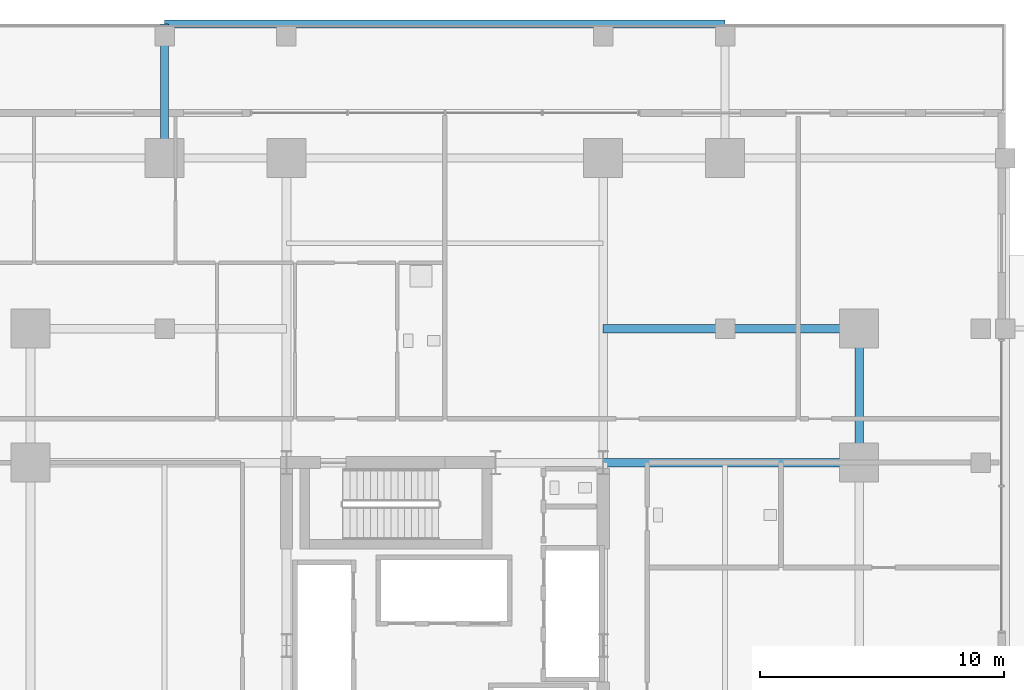
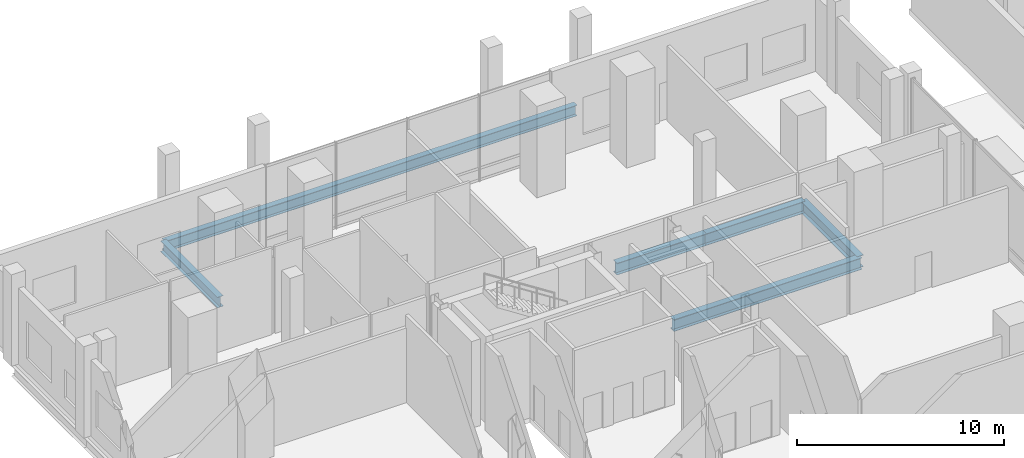
# One storey, part 18 of 36: 6 beams.
"""IFC4 building model written with IfcOpenShell, lengths in metres."""

from ifc_helpers import new_model, si_unit, direction, frame, origin, origin_2d, place, context, subcontext, project, spatial, i_section, extrude, material, material_profile, profile_set, type_object, element, save


model = new_model("IFC4")

# Units and contexts
model_context = context("Model", 3, precision=1e-05, world=origin(), true_north=direction((0.0, 1.0)))
body_context = subcontext(model_context, "Body", "Model", "MODEL_VIEW")
ifc_project = project(units=[si_unit("LENGTHUNIT", "METRE"), si_unit("AREAUNIT", "SQUARE_METRE"), si_unit("VOLUMEUNIT", "CUBIC_METRE"), si_unit("PLANEANGLEUNIT", "RADIAN"), si_unit("MASSUNIT", "GRAM", prefix="KILO")], contexts=[model_context])

# Site, building, storey
site_placement = place(None, origin())
site = spatial("IfcSite", under=ifc_project, at=site_placement, CompositionType="ELEMENT")
building_placement = place(site_placement, origin())
building = spatial("IfcBuilding", under=site, at=building_placement, Name="Barlavira Tower and Art Museum", CompositionType="ELEMENT")
storey_placement = place(building_placement, frame((0.0, 0.0, 11.39990234375)))
storey = spatial("IfcBuildingStorey", under=building, at=storey_placement, Name="L02", CompositionType="ELEMENT", Elevation=11.39990234375)

# Beams
ifc_material = material(Name="Steel S355", Category="steel")
ifc_material_profile_1 = material_profile(ifc_material, i_section(OverallWidth=0.327880859375, OverallDepth=0.62890625, WebThickness=0.013916015625, FlangeThickness=0.021484375, at=origin_2d()), Name="W610x174.0")
ifc_profile_set_1 = profile_set([ifc_material_profile_1], Name="Steel S355")
beam_type_1 = type_object("IfcBeamType", Name="Perimeter Spandrel Edge Beam W610x174 Steel S355", PredefinedType="SPANDREL", material=ifc_profile_set_1)
beam_1_placement = place(storey_placement, frame((-11.5, 25.5, -0.594482421875), z_axis=(1.0, 0.0, 0.0), x_axis=(0.0, 1.0, 0.0)))
element("IfcBeam", 1, at=beam_1_placement, inside=storey, type_object=beam_type_1, Name="L02 North Cascade Edge Spandrel", PredefinedType="SPANDREL", context=body_context, shape_type="SweptSolid", body=[
    extrude(i_section(OverallWidth=0.327880859375, OverallDepth=0.62890625, WebThickness=0.013916015625, FlangeThickness=0.021484375, at=origin_2d()), origin(), (0.0, 0.0, 1.0), 23.0),
])
beam_2_placement = place(storey_placement, frame((-11.5, 20.0, -0.594482421875), z_axis=(0.0, 1.0, 0.0), x_axis=(-1.0, 0.0, 0.0)))
element("IfcBeam", 2, at=beam_2_placement, inside=storey, type_object=beam_type_1, Name="L02 NW Cascade Spandrel", PredefinedType="SPANDREL", context=body_context, shape_type="SweptSolid", body=[
    extrude(i_section(OverallWidth=0.327880859375, OverallDepth=0.62890625, WebThickness=0.013916015625, FlangeThickness=0.021484375, at=origin_2d()), origin(), (0.0, 0.0, 1.0), 5.5),
])
ifc_material_profile_2 = material_profile(ifc_material, i_section(OverallWidth=0.35595703125, OverallDepth=0.695068359375, WebThickness=0.014892578125, FlangeThickness=0.023681640625, at=origin_2d()), Name="W690x192.0")
ifc_profile_set_2 = profile_set([ifc_material_profile_2], Name="Steel S355")
beam_type_2 = type_object("IfcBeamType", Name="Podium Primary Girder W690x192 Steel S355", PredefinedType="BEAM", material=ifc_profile_set_2)
beam_3_placement = place(storey_placement, frame((17.0, 7.5, -0.62744140625), z_axis=(0.0, 1.0, 0.0), x_axis=(-1.0, 0.0, 0.0)))
element("IfcBeam", 3, at=beam_3_placement, inside=storey, type_object=beam_type_2, Name="L02 Girder M-E3", PredefinedType="BEAM", context=body_context, shape_type="SweptSolid", body=[
    extrude(i_section(OverallWidth=0.35595703125, OverallDepth=0.695068359375, WebThickness=0.014892578125, FlangeThickness=0.023681640625, at=origin_2d()), origin(), (0.0, 0.0, 1.0), 5.5),
])
beam_4_placement = place(storey_placement, frame((6.5, 7.5, -0.62744140625), z_axis=(1.0, 0.0, 0.0), x_axis=(0.0, 1.0, 0.0)))
element("IfcBeam", 4, at=beam_4_placement, inside=storey, type_object=beam_type_2, Name="L02 Girder R-E2", PredefinedType="BEAM", context=body_context, shape_type="SweptSolid", body=[
    extrude(i_section(OverallWidth=0.35595703125, OverallDepth=0.695068359375, WebThickness=0.014892578125, FlangeThickness=0.023681640625, at=origin_2d()), origin(), (0.0, 0.0, 1.0), 10.5),
])
beam_5_placement = place(storey_placement, frame((6.5, 13.0, -0.62744140625), z_axis=(1.0, 0.0, 0.0), x_axis=(0.0, 1.0, 0.0)))
element("IfcBeam", 5, at=beam_5_placement, inside=storey, type_object=beam_type_2, Name="L02 Girder I-N3", PredefinedType="BEAM", context=body_context, shape_type="SweptSolid", body=[
    extrude(i_section(OverallWidth=0.35595703125, OverallDepth=0.695068359375, WebThickness=0.014892578125, FlangeThickness=0.023681640625, at=origin_2d()), origin(), (0.0, 0.0, 1.0), 5.0),
])
beam_6_placement = place(storey_placement, frame((11.5, 13.0, -0.62744140625), z_axis=(1.0, 0.0, 0.0), x_axis=(0.0, 1.0, 0.0)))
element("IfcBeam", 6, at=beam_6_placement, inside=storey, type_object=beam_type_2, Name="L02 Girder I-N4", PredefinedType="BEAM", context=body_context, shape_type="SweptSolid", body=[
    extrude(i_section(OverallWidth=0.35595703125, OverallDepth=0.695068359375, WebThickness=0.014892578125, FlangeThickness=0.023681640625, at=origin_2d()), origin(), (0.0, 0.0, 1.0), 5.5),
])

save(model, "model.ifc")
